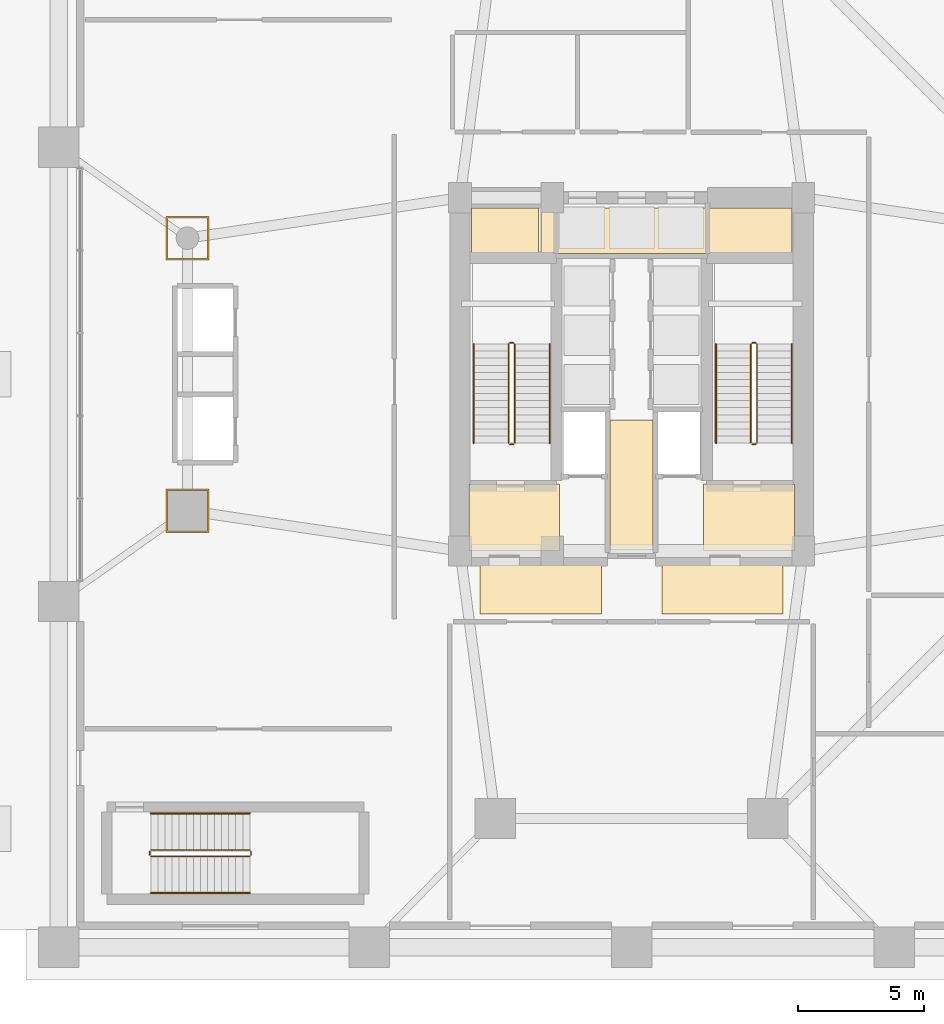
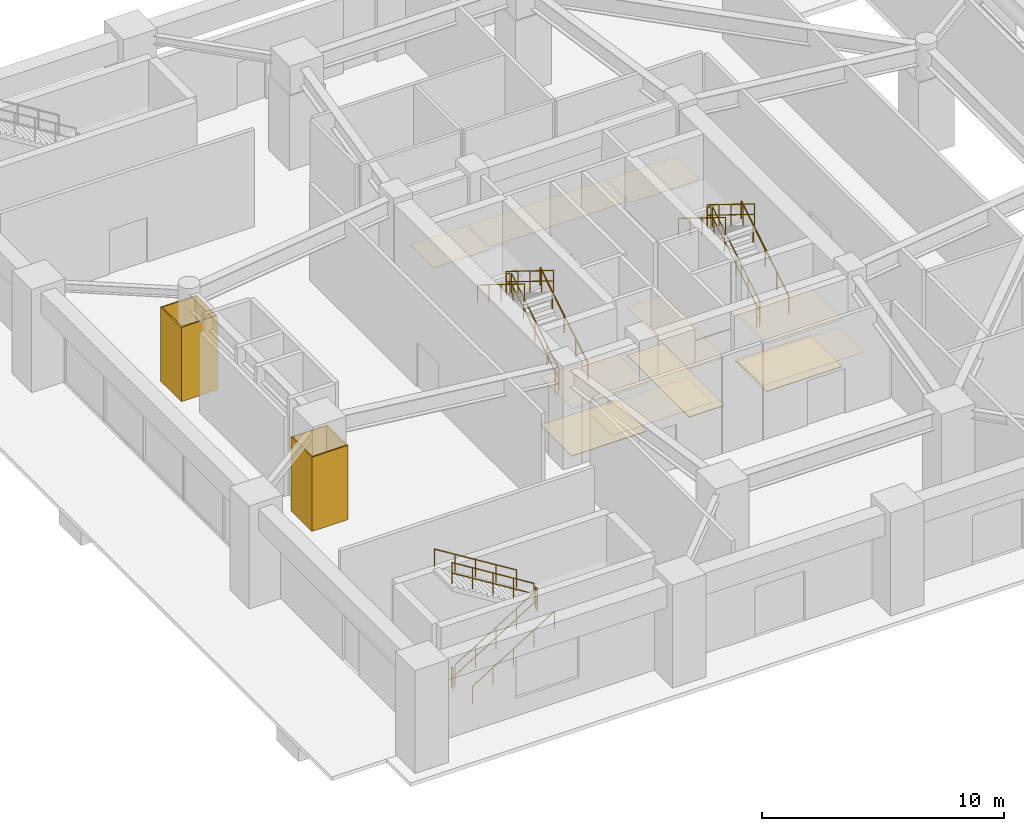
# One storey, part 23 of 27: 18 railings, 13 coverings.
"""IFC4 building model written with IfcOpenShell, lengths in metres."""

from ifc_helpers import new_model, si_unit, direction, frame, origin, origin_2d, place, context, subcontext, project, spatial, polyline, circle, outline, extrude, material, layer, layer_set, type_object, element, save


model = new_model("IFC4")

# Units and contexts
model_context = context("Model", 3, precision=1e-05, world=origin(), true_north=direction((0.0, 1.0)))
body_context = subcontext(model_context, "Body", "Model", "MODEL_VIEW")
ifc_project = project(units=[si_unit("LENGTHUNIT", "METRE"), si_unit("AREAUNIT", "SQUARE_METRE"), si_unit("VOLUMEUNIT", "CUBIC_METRE"), si_unit("PLANEANGLEUNIT", "RADIAN"), si_unit("MASSUNIT", "GRAM", prefix="KILO")], contexts=[model_context])

# Site, building, storey
site_placement = place(None, origin())
site = spatial("IfcSite", under=ifc_project, at=site_placement, CompositionType="ELEMENT")
building_placement = place(site_placement, origin())
building = spatial("IfcBuilding", under=site, at=building_placement, Name="Veraguas Prism Commons", CompositionType="ELEMENT")
storey_placement = place(building_placement, origin())
storey = spatial("IfcBuildingStorey", under=building, at=storey_placement, Name="L00", CompositionType="ELEMENT", Elevation=0.0)

# Coverings
ifc_material_1 = material(Name="Anodised aluminium EN AW-6063 T6", Category="aluminium")
ifc_layer_1 = layer(ifc_material_1, 0.014892578125, Name="Pale-Metal Column Cladding Casing 15", Category="aluminium")
ifc_layer_set_1 = layer_set([ifc_layer_1], Name="Anodised aluminium EN AW-6063 T6")
covering_type_1 = type_object("IfcCoveringType", Name="Pale-Metal Column Cladding Casing 15", PredefinedType="CLADDING", material=ifc_layer_set_1)
covering_1_placement = place(storey_placement, origin())
element("IfcCovering", 1, at=covering_1_placement, inside=storey, type_object=covering_type_1, Name="Concourse Column Pale-Metal Cladding 05", PredefinedType="CLADDING", context=body_context, shape_type="SweptSolid", body=[
    extrude(outline(polyline([(5.5400390625, 28.5400390625), (7.260009765625, 28.5400390625), (7.260009765625, 30.260009765625), (5.5400390625, 30.260009765625), (5.5400390625, 28.5400390625)]), holes=[polyline([(5.60009765625, 28.60009765625), (7.199951171875, 28.60009765625), (7.199951171875, 30.199951171875), (5.60009765625, 30.199951171875), (5.60009765625, 28.60009765625)])]), origin(), (0.0, 0.0, 1.0), 3.75),
])
covering_2_placement = place(storey_placement, origin())
element("IfcCovering", 2, at=covering_2_placement, inside=storey, type_object=covering_type_1, Name="Concourse Column Pale-Metal Cladding 06", PredefinedType="CLADDING", context=body_context, shape_type="SweptSolid", body=[
    extrude(outline(polyline([(5.5400390625, 17.739990234375), (7.260009765625, 17.739990234375), (7.260009765625, 19.4599609375), (5.5400390625, 19.4599609375), (5.5400390625, 17.739990234375)]), holes=[polyline([(5.60009765625, 17.800048828125), (7.199951171875, 17.800048828125), (7.199951171875, 19.39990234375), (5.60009765625, 19.39990234375), (5.60009765625, 17.800048828125)])]), origin(), (0.0, 0.0, 1.0), 3.75),
])
ifc_material_2 = material(Name="Acoustic gypsum board")
ifc_layer_2 = layer(ifc_material_2, 0.02490234375, Name="Perforated Acoustic Ceiling Tile 25")
ifc_layer_set_2 = layer_set([ifc_layer_2], Name="Acoustic gypsum board")
covering_type_2 = type_object("IfcCoveringType", Name="Perforated Acoustic Ceiling Tile 25", PredefinedType="USERDEFINED", material=ifc_layer_set_2)
covering_3_placement = place(storey_placement, frame((0.0, 0.0, 2.425048828125)))
element("IfcCovering", 3, at=covering_3_placement, inside=storey, type_object=covering_type_2, Name="East Lobby Acoustic Ceiling L00", ObjectType="ACOUSTIC CEILING", PredefinedType="USERDEFINED", context=body_context, shape_type="SweptSolid", body=[
    extrude(outline(polyline([(26.85009765625, 17.0), (30.449951171875, 17.0), (30.449951171875, 19.64990234375), (26.85009765625, 19.64990234375), (26.85009765625, 17.0)])), origin(), (0.0, 0.0, 1.0), 0.02490234375),
])
ifc_material_3 = material(Name="Terrazzo stone finish", Category="masonry")
ifc_layer_3 = layer(ifc_material_3, 0.030029296875, Name="Polished Terrazzo Floor Finish 30", Category="masonry")
ifc_layer_set_3 = layer_set([ifc_layer_3], Name="Terrazzo stone finish")
covering_type_3 = type_object("IfcCoveringType", Name="Polished Terrazzo Floor Finish 30", PredefinedType="FLOORING", material=ifc_layer_set_3)
covering_4_placement = place(storey_placement, origin())
element("IfcCovering", 4, at=covering_4_placement, inside=storey, type_object=covering_type_3, Name="Terrazzo Lobby Flooring L00", PredefinedType="FLOORING", context=body_context, shape_type="SweptSolid", body=[
    extrude(outline(polyline([(23.14990234375, 17.050048828125), (24.85009765625, 17.050048828125), (24.85009765625, 22.199951171875), (23.14990234375, 22.199951171875), (23.14990234375, 17.050048828125)])), origin(), (0.0, 0.0, 1.0), 0.030029296875),
])
covering_5_placement = place(storey_placement, origin())
element("IfcCovering", 5, at=covering_5_placement, inside=storey, type_object=covering_type_3, Name="West FF Lobby Terrazzo Flooring L00", PredefinedType="FLOORING", context=body_context, shape_type="SweptSolid", body=[
    extrude(outline(polyline([(17.550048828125, 17.050048828125), (21.14990234375, 17.050048828125), (21.14990234375, 19.64990234375), (17.550048828125, 19.64990234375), (17.550048828125, 17.050048828125)])), origin(), (0.0, 0.0, 1.0), 0.030029296875),
])
covering_6_placement = place(storey_placement, origin())
element("IfcCovering", 6, at=covering_6_placement, inside=storey, type_object=covering_type_3, Name="East FF Lobby Terrazzo Flooring L00", PredefinedType="FLOORING", context=body_context, shape_type="SweptSolid", body=[
    extrude(outline(polyline([(26.85009765625, 17.050048828125), (30.449951171875, 17.050048828125), (30.449951171875, 19.64990234375), (26.85009765625, 19.64990234375), (26.85009765625, 17.050048828125)])), origin(), (0.0, 0.0, 1.0), 0.030029296875),
])

# Railings
ifc_material_4 = material(Name="Stainless steel AISI 316", Category="steel")
railing_type_1 = type_object("IfcRailingType", Name="Stair and Ramp Stainless Handrail 900", PredefinedType="HANDRAIL", material=ifc_material_4)
railing_1_placement = place(storey_placement, frame((20.75, 21.280029296875, 0.17333984375)))
element("IfcRailing", 7, at=railing_1_placement, inside=storey, type_object=railing_type_1, Name="Stair Handrail ST-01 L00-1", PredefinedType="HANDRAIL", context=body_context, shape_type="SweptSolid", body=[
    extrude(circle(Radius=0.02392578125, at=origin_2d()), frame((0.0, 0.0, 0.8759765625), z_axis=(0.0, 0.850251603719, 0.526376491091), x_axis=(-1.0, 0.0, 0.0)), (0.0, 0.0, 1.0), 4.6103515625),
    extrude(circle(Radius=0.02099609375, at=origin_2d()), origin(), (0.0, 0.0, 1.0), 0.851806640625),
    extrude(circle(Radius=0.02099609375, at=origin_2d()), frame((0.0, 0.97998046875, 0.606689453125)), (0.0, 0.0, 1.0), 0.851806640625),
    extrude(circle(Radius=0.02099609375, at=origin_2d()), frame((0.0, 1.9599609375, 1.21337890625)), (0.0, 0.0, 1.0), 0.851806640625),
    extrude(circle(Radius=0.02099609375, at=origin_2d()), frame((0.0, 2.93994140625, 1.820068359375)), (0.0, 0.0, 1.0), 0.851806640625),
    extrude(circle(Radius=0.02099609375, at=origin_2d()), frame((0.0, 3.919921875, 2.4267578125)), (0.0, 0.0, 1.0), 0.851806640625),
])
railing_2_placement = place(storey_placement, frame((17.739990234375, 25.199951171875, 2.7734375)))
element("IfcRailing", 8, at=railing_2_placement, inside=storey, type_object=railing_type_1, Name="Stair Handrail ST-01 L00-2", PredefinedType="HANDRAIL", context=body_context, shape_type="SweptSolid", body=[
    extrude(circle(Radius=0.02392578125, at=origin_2d()), frame((0.0, 0.0, 0.8759765625), z_axis=(0.0, -0.850275303828, 0.526338206574), x_axis=(1.0, 0.0, 0.0)), (0.0, 0.0, 1.0), 4.610107421875),
    extrude(circle(Radius=0.02099609375, at=origin_2d()), origin(), (0.0, 0.0, 1.0), 0.851806640625),
    extrude(circle(Radius=0.02099609375, at=origin_2d()), frame((0.0, -0.97998046875, 0.606689453125)), (0.0, 0.0, 1.0), 0.851806640625),
    extrude(circle(Radius=0.02099609375, at=origin_2d()), frame((0.0, -1.9599609375, 1.21337890625)), (0.0, 0.0, 1.0), 0.851806640625),
    extrude(circle(Radius=0.02099609375, at=origin_2d()), frame((0.0, -2.93994140625, 1.81982421875)), (0.0, 0.0, 1.0), 0.851806640625),
    extrude(circle(Radius=0.02099609375, at=origin_2d()), frame((0.0, -3.919921875, 2.426513671875)), (0.0, 0.0, 1.0), 0.851806640625),
])
railing_3_placement = place(storey_placement, frame((30.35009765625, 21.280029296875, 0.17333984375)))
element("IfcRailing", 9, at=railing_3_placement, inside=storey, type_object=railing_type_1, Name="Stair Handrail ST-02 L00-1", PredefinedType="HANDRAIL", context=body_context, shape_type="SweptSolid", body=[
    extrude(circle(Radius=0.02392578125, at=origin_2d()), frame((0.0, 0.0, 0.8759765625), z_axis=(0.0, 0.850251603719, 0.526376491091), x_axis=(-1.0, 0.0, 0.0)), (0.0, 0.0, 1.0), 4.6103515625),
    extrude(circle(Radius=0.02099609375, at=origin_2d()), origin(), (0.0, 0.0, 1.0), 0.851806640625),
    extrude(circle(Radius=0.02099609375, at=origin_2d()), frame((0.0, 0.97998046875, 0.606689453125)), (0.0, 0.0, 1.0), 0.851806640625),
    extrude(circle(Radius=0.02099609375, at=origin_2d()), frame((0.0, 1.9599609375, 1.21337890625)), (0.0, 0.0, 1.0), 0.851806640625),
    extrude(circle(Radius=0.02099609375, at=origin_2d()), frame((0.0, 2.93994140625, 1.820068359375)), (0.0, 0.0, 1.0), 0.851806640625),
    extrude(circle(Radius=0.02099609375, at=origin_2d()), frame((0.0, 3.919921875, 2.4267578125)), (0.0, 0.0, 1.0), 0.851806640625),
])
railing_4_placement = place(storey_placement, frame((27.340087890625, 25.199951171875, 2.7734375)))
element("IfcRailing", 10, at=railing_4_placement, inside=storey, type_object=railing_type_1, Name="Stair Handrail ST-02 L00-2", PredefinedType="HANDRAIL", context=body_context, shape_type="SweptSolid", body=[
    extrude(circle(Radius=0.02392578125, at=origin_2d()), frame((0.0, 0.0, 0.8759765625), z_axis=(0.0, -0.850275303828, 0.526338206574), x_axis=(1.0, 0.0, 0.0)), (0.0, 0.0, 1.0), 4.610107421875),
    extrude(circle(Radius=0.02099609375, at=origin_2d()), origin(), (0.0, 0.0, 1.0), 0.851806640625),
    extrude(circle(Radius=0.02099609375, at=origin_2d()), frame((0.0, -0.97998046875, 0.606689453125)), (0.0, 0.0, 1.0), 0.851806640625),
    extrude(circle(Radius=0.02099609375, at=origin_2d()), frame((0.0, -1.9599609375, 1.21337890625)), (0.0, 0.0, 1.0), 0.851806640625),
    extrude(circle(Radius=0.02099609375, at=origin_2d()), frame((0.0, -2.93994140625, 1.81982421875)), (0.0, 0.0, 1.0), 0.851806640625),
    extrude(circle(Radius=0.02099609375, at=origin_2d()), frame((0.0, -3.919921875, 2.426513671875)), (0.0, 0.0, 1.0), 0.851806640625),
])
railing_5_placement = place(storey_placement, frame((4.949951171875, 3.449951171875, 0.17333984375)))
element("IfcRailing", 11, at=railing_5_placement, inside=storey, type_object=railing_type_1, Name="Stair Handrail ST-M1 L00-1", PredefinedType="HANDRAIL", context=body_context, shape_type="SweptSolid", body=[
    extrude(circle(Radius=0.02392578125, at=origin_2d()), frame((0.0, 0.0, 0.8759765625), z_axis=(0.850266275192, 0.0, 0.526352791643), x_axis=(0.0, 1.0, 0.0)), (0.0, 0.0, 1.0), 4.610595703125),
    extrude(circle(Radius=0.02099609375, at=origin_2d()), origin(), (0.0, 0.0, 1.0), 0.851806640625),
    extrude(circle(Radius=0.02099609375, at=origin_2d()), frame((0.97998046875, 0.0, 0.606689453125)), (0.0, 0.0, 1.0), 0.851806640625),
    extrude(circle(Radius=0.02099609375, at=origin_2d()), frame((1.9599609375, 0.0, 1.21337890625)), (0.0, 0.0, 1.0), 0.851806640625),
    extrude(circle(Radius=0.02099609375, at=origin_2d()), frame((2.940185546875, 0.0, 1.820068359375)), (0.0, 0.0, 1.0), 0.851806640625),
    extrude(circle(Radius=0.02099609375, at=origin_2d()), frame((3.920166015625, 0.0, 2.4267578125)), (0.0, 0.0, 1.0), 0.851806640625),
])
railing_6_placement = place(storey_placement, frame((8.8701171875, 6.60009765625, 2.7734375)))
element("IfcRailing", 12, at=railing_6_placement, inside=storey, type_object=railing_type_1, Name="Stair Handrail ST-M1 L00-2", PredefinedType="HANDRAIL", context=body_context, shape_type="SweptSolid", body=[
    extrude(circle(Radius=0.02392578125, at=origin_2d()), frame((0.0, 0.0, 0.8759765625), z_axis=(-0.850289973577, 0.0, 0.526314507528), x_axis=(0.0, -1.0, 0.0)), (0.0, 0.0, 1.0), 4.6103515625),
    extrude(circle(Radius=0.02099609375, at=origin_2d()), origin(), (0.0, 0.0, 1.0), 0.851806640625),
    extrude(circle(Radius=0.02099609375, at=origin_2d()), frame((-0.97998046875, 0.0, 0.606689453125)), (0.0, 0.0, 1.0), 0.851806640625),
    extrude(circle(Radius=0.02099609375, at=origin_2d()), frame((-1.9599609375, 0.0, 1.21337890625)), (0.0, 0.0, 1.0), 0.851806640625),
    extrude(circle(Radius=0.02099609375, at=origin_2d()), frame((-2.940185546875, 0.0, 1.81982421875)), (0.0, 0.0, 1.0), 0.851806640625),
    extrude(circle(Radius=0.02099609375, at=origin_2d()), frame((-3.920166015625, 0.0, 2.426513671875)), (0.0, 0.0, 1.0), 0.851806640625),
])
railing_type_2 = type_object("IfcRailingType", Name="Stairwell Safety Guardrail 1100", PredefinedType="GUARDRAIL", material=ifc_material_4)
railing_7_placement = place(storey_placement, frame((19.3701171875, 21.280029296875, 0.17333984375)))
element("IfcRailing", 13, at=railing_7_placement, inside=storey, type_object=railing_type_2, Name="Stair Guard ST-01 L00-1", PredefinedType="GUARDRAIL", context=body_context, shape_type="SweptSolid", body=[
    extrude(circle(Radius=0.02392578125, at=origin_2d()), frame((0.0, 0.0, 1.076171875), z_axis=(0.0, 0.850251603719, 0.526376491091), x_axis=(-1.0, 0.0, 0.0)), (0.0, 0.0, 1.0), 4.6103515625),
    extrude(circle(Radius=0.02392578125, at=origin_2d()), frame((0.0, 0.0, 0.550048828125), z_axis=(0.0, 0.850251603719, 0.526376491091), x_axis=(-1.0, 0.0, 0.0)), (0.0, 0.0, 1.0), 4.6103515625),
    extrude(circle(Radius=0.02099609375, at=origin_2d()), origin(), (0.0, 0.0, 1.0), 1.052001953125),
    extrude(circle(Radius=0.02099609375, at=origin_2d()), frame((0.0, 0.97998046875, 0.606689453125)), (0.0, 0.0, 1.0), 1.052001953125),
    extrude(circle(Radius=0.02099609375, at=origin_2d()), frame((0.0, 1.9599609375, 1.21337890625)), (0.0, 0.0, 1.0), 1.052001953125),
    extrude(circle(Radius=0.02099609375, at=origin_2d()), frame((0.0, 2.93994140625, 1.820068359375)), (0.0, 0.0, 1.0), 1.052001953125),
    extrude(circle(Radius=0.02099609375, at=origin_2d()), frame((0.0, 3.919921875, 2.4267578125)), (0.0, 0.0, 1.0), 1.052001953125),
])
railing_8_placement = place(storey_placement, frame((19.320068359375, 25.25, 2.60009765625)))
element("IfcRailing", 14, at=railing_8_placement, inside=storey, type_object=railing_type_2, Name="Stair Guard ST-01 L00-2", PredefinedType="GUARDRAIL", context=body_context, shape_type="SweptSolid", body=[
    extrude(circle(Radius=0.02392578125, at=origin_2d()), frame((0.0, 0.0, 1.076171875), z_axis=(-1.0, 0.0, 0.0), x_axis=(0.0, -1.0, 0.0)), (0.0, 0.0, 1.0), 0.150146484375),
    extrude(circle(Radius=0.02392578125, at=origin_2d()), frame((0.0, 0.0, 0.550048828125), z_axis=(-1.0, 0.0, 0.0), x_axis=(0.0, -1.0, 0.0)), (0.0, 0.0, 1.0), 0.150146484375),
    extrude(circle(Radius=0.02099609375, at=origin_2d()), origin(), (0.0, 0.0, 1.0), 1.052001953125),
    extrude(circle(Radius=0.02099609375, at=origin_2d()), frame((-0.150146484375, 0.0, 0.0)), (0.0, 0.0, 1.0), 1.052001953125),
])
railing_9_placement = place(storey_placement, frame((19.1201171875, 25.199951171875, 2.7734375)))
element("IfcRailing", 15, at=railing_9_placement, inside=storey, type_object=railing_type_2, Name="Stair Guard ST-01 L00-3", PredefinedType="GUARDRAIL", context=body_context, shape_type="SweptSolid", body=[
    extrude(circle(Radius=0.02392578125, at=origin_2d()), frame((0.0, 0.0, 1.076171875), z_axis=(0.0, -0.850275303828, 0.526338206574), x_axis=(1.0, 0.0, 0.0)), (0.0, 0.0, 1.0), 4.610107421875),
    extrude(circle(Radius=0.02392578125, at=origin_2d()), frame((0.0, 0.0, 0.550048828125), z_axis=(0.0, -0.850275303828, 0.526338206574), x_axis=(1.0, 0.0, 0.0)), (0.0, 0.0, 1.0), 4.610107421875),
    extrude(circle(Radius=0.02099609375, at=origin_2d()), origin(), (0.0, 0.0, 1.0), 1.052001953125),
    extrude(circle(Radius=0.02099609375, at=origin_2d()), frame((0.0, -0.97998046875, 0.606689453125)), (0.0, 0.0, 1.0), 1.052001953125),
    extrude(circle(Radius=0.02099609375, at=origin_2d()), frame((0.0, -1.9599609375, 1.21337890625)), (0.0, 0.0, 1.0), 1.052001953125),
    extrude(circle(Radius=0.02099609375, at=origin_2d()), frame((0.0, -2.93994140625, 1.81982421875)), (0.0, 0.0, 1.0), 1.052001953125),
    extrude(circle(Radius=0.02099609375, at=origin_2d()), frame((0.0, -3.919921875, 2.426513671875)), (0.0, 0.0, 1.0), 1.052001953125),
])
railing_10_placement = place(storey_placement, frame((19.320068359375, 21.22998046875, 0.0)))
element("IfcRailing", 16, at=railing_10_placement, inside=storey, type_object=railing_type_2, Name="Stair Guard ST-01 L00-4", PredefinedType="GUARDRAIL", context=body_context, shape_type="SweptSolid", body=[
    extrude(circle(Radius=0.02392578125, at=origin_2d()), frame((0.0, 0.0, 1.076171875), z_axis=(-1.0, 0.0, 0.0), x_axis=(0.0, -1.0, 0.0)), (0.0, 0.0, 1.0), 0.150146484375),
    extrude(circle(Radius=0.02392578125, at=origin_2d()), frame((0.0, 0.0, 0.550048828125), z_axis=(-1.0, 0.0, 0.0), x_axis=(0.0, -1.0, 0.0)), (0.0, 0.0, 1.0), 0.150146484375),
    extrude(circle(Radius=0.02099609375, at=origin_2d()), origin(), (0.0, 0.0, 1.0), 1.052001953125),
    extrude(circle(Radius=0.02099609375, at=origin_2d()), frame((-0.150146484375, 0.0, 0.0)), (0.0, 0.0, 1.0), 1.052001953125),
])
railing_11_placement = place(storey_placement, frame((28.969970703125, 21.280029296875, 0.17333984375)))
element("IfcRailing", 17, at=railing_11_placement, inside=storey, type_object=railing_type_2, Name="Stair Guard ST-02 L00-1", PredefinedType="GUARDRAIL", context=body_context, shape_type="SweptSolid", body=[
    extrude(circle(Radius=0.02392578125, at=origin_2d()), frame((0.0, 0.0, 1.076171875), z_axis=(0.0, 0.850251603719, 0.526376491091), x_axis=(-1.0, 0.0, 0.0)), (0.0, 0.0, 1.0), 4.6103515625),
    extrude(circle(Radius=0.02392578125, at=origin_2d()), frame((0.0, 0.0, 0.550048828125), z_axis=(0.0, 0.850251603719, 0.526376491091), x_axis=(-1.0, 0.0, 0.0)), (0.0, 0.0, 1.0), 4.6103515625),
    extrude(circle(Radius=0.02099609375, at=origin_2d()), origin(), (0.0, 0.0, 1.0), 1.052001953125),
    extrude(circle(Radius=0.02099609375, at=origin_2d()), frame((0.0, 0.97998046875, 0.606689453125)), (0.0, 0.0, 1.0), 1.052001953125),
    extrude(circle(Radius=0.02099609375, at=origin_2d()), frame((0.0, 1.9599609375, 1.21337890625)), (0.0, 0.0, 1.0), 1.052001953125),
    extrude(circle(Radius=0.02099609375, at=origin_2d()), frame((0.0, 2.93994140625, 1.820068359375)), (0.0, 0.0, 1.0), 1.052001953125),
    extrude(circle(Radius=0.02099609375, at=origin_2d()), frame((0.0, 3.919921875, 2.4267578125)), (0.0, 0.0, 1.0), 1.052001953125),
])
railing_12_placement = place(storey_placement, frame((28.919921875, 25.25, 2.60009765625)))
element("IfcRailing", 18, at=railing_12_placement, inside=storey, type_object=railing_type_2, Name="Stair Guard ST-02 L00-2", PredefinedType="GUARDRAIL", context=body_context, shape_type="SweptSolid", body=[
    extrude(circle(Radius=0.02392578125, at=origin_2d()), frame((0.0, 0.0, 1.076171875), z_axis=(-1.0, 0.0, 0.0), x_axis=(0.0, -1.0, 0.0)), (0.0, 0.0, 1.0), 0.14990234375),
    extrude(circle(Radius=0.02392578125, at=origin_2d()), frame((0.0, 0.0, 0.550048828125), z_axis=(-1.0, 0.0, 0.0), x_axis=(0.0, -1.0, 0.0)), (0.0, 0.0, 1.0), 0.14990234375),
    extrude(circle(Radius=0.02099609375, at=origin_2d()), origin(), (0.0, 0.0, 1.0), 1.052001953125),
    extrude(circle(Radius=0.02099609375, at=origin_2d()), frame((-0.14990234375, 0.0, 0.0)), (0.0, 0.0, 1.0), 1.052001953125),
])
railing_13_placement = place(storey_placement, frame((28.719970703125, 25.199951171875, 2.7734375)))
element("IfcRailing", 19, at=railing_13_placement, inside=storey, type_object=railing_type_2, Name="Stair Guard ST-02 L00-3", PredefinedType="GUARDRAIL", context=body_context, shape_type="SweptSolid", body=[
    extrude(circle(Radius=0.02392578125, at=origin_2d()), frame((0.0, 0.0, 1.076171875), z_axis=(0.0, -0.850275303828, 0.526338206574), x_axis=(1.0, 0.0, 0.0)), (0.0, 0.0, 1.0), 4.610107421875),
    extrude(circle(Radius=0.02392578125, at=origin_2d()), frame((0.0, 0.0, 0.550048828125), z_axis=(0.0, -0.850275303828, 0.526338206574), x_axis=(1.0, 0.0, 0.0)), (0.0, 0.0, 1.0), 4.610107421875),
    extrude(circle(Radius=0.02099609375, at=origin_2d()), origin(), (0.0, 0.0, 1.0), 1.052001953125),
    extrude(circle(Radius=0.02099609375, at=origin_2d()), frame((0.0, -0.97998046875, 0.606689453125)), (0.0, 0.0, 1.0), 1.052001953125),
    extrude(circle(Radius=0.02099609375, at=origin_2d()), frame((0.0, -1.9599609375, 1.21337890625)), (0.0, 0.0, 1.0), 1.052001953125),
    extrude(circle(Radius=0.02099609375, at=origin_2d()), frame((0.0, -2.93994140625, 1.81982421875)), (0.0, 0.0, 1.0), 1.052001953125),
    extrude(circle(Radius=0.02099609375, at=origin_2d()), frame((0.0, -3.919921875, 2.426513671875)), (0.0, 0.0, 1.0), 1.052001953125),
])
railing_14_placement = place(storey_placement, frame((28.919921875, 21.22998046875, 0.0)))
element("IfcRailing", 20, at=railing_14_placement, inside=storey, type_object=railing_type_2, Name="Stair Guard ST-02 L00-4", PredefinedType="GUARDRAIL", context=body_context, shape_type="SweptSolid", body=[
    extrude(circle(Radius=0.02392578125, at=origin_2d()), frame((0.0, 0.0, 1.076171875), z_axis=(-1.0, 0.0, 0.0), x_axis=(0.0, -1.0, 0.0)), (0.0, 0.0, 1.0), 0.14990234375),
    extrude(circle(Radius=0.02392578125, at=origin_2d()), frame((0.0, 0.0, 0.550048828125), z_axis=(-1.0, 0.0, 0.0), x_axis=(0.0, -1.0, 0.0)), (0.0, 0.0, 1.0), 0.14990234375),
    extrude(circle(Radius=0.02099609375, at=origin_2d()), origin(), (0.0, 0.0, 1.0), 1.052001953125),
    extrude(circle(Radius=0.02099609375, at=origin_2d()), frame((-0.14990234375, 0.0, 0.0)), (0.0, 0.0, 1.0), 1.052001953125),
])
railing_15_placement = place(storey_placement, frame((4.949951171875, 4.89990234375, 0.17333984375)))
element("IfcRailing", 21, at=railing_15_placement, inside=storey, type_object=railing_type_2, Name="Stair Guard ST-M1 L00-1", PredefinedType="GUARDRAIL", context=body_context, shape_type="SweptSolid", body=[
    extrude(circle(Radius=0.02392578125, at=origin_2d()), frame((0.0, 0.0, 1.076171875), z_axis=(0.850266275192, 0.0, 0.526352791643), x_axis=(0.0, 1.0, 0.0)), (0.0, 0.0, 1.0), 4.610595703125),
    extrude(circle(Radius=0.02392578125, at=origin_2d()), frame((0.0, 0.0, 0.550048828125), z_axis=(0.850266275192, 0.0, 0.526352791643), x_axis=(0.0, 1.0, 0.0)), (0.0, 0.0, 1.0), 4.610595703125),
    extrude(circle(Radius=0.02099609375, at=origin_2d()), origin(), (0.0, 0.0, 1.0), 1.052001953125),
    extrude(circle(Radius=0.02099609375, at=origin_2d()), frame((0.97998046875, 0.0, 0.606689453125)), (0.0, 0.0, 1.0), 1.052001953125),
    extrude(circle(Radius=0.02099609375, at=origin_2d()), frame((1.9599609375, 0.0, 1.21337890625)), (0.0, 0.0, 1.0), 1.052001953125),
    extrude(circle(Radius=0.02099609375, at=origin_2d()), frame((2.940185546875, 0.0, 1.820068359375)), (0.0, 0.0, 1.0), 1.052001953125),
    extrude(circle(Radius=0.02099609375, at=origin_2d()), frame((3.920166015625, 0.0, 2.4267578125)), (0.0, 0.0, 1.0), 1.052001953125),
])
railing_16_placement = place(storey_placement, frame((8.919921875, 4.949951171875, 2.60009765625)))
element("IfcRailing", 22, at=railing_16_placement, inside=storey, type_object=railing_type_2, Name="Stair Guard ST-M1 L00-2", PredefinedType="GUARDRAIL", context=body_context, shape_type="SweptSolid", body=[
    extrude(circle(Radius=0.02392578125, at=origin_2d()), frame((0.0, 0.0, 1.076171875), z_axis=(0.0, 1.0, 0.0), x_axis=(-1.0, 0.0, 0.0)), (0.0, 0.0, 1.0), 0.150146484375),
    extrude(circle(Radius=0.02392578125, at=origin_2d()), frame((0.0, 0.0, 0.550048828125), z_axis=(0.0, 1.0, 0.0), x_axis=(-1.0, 0.0, 0.0)), (0.0, 0.0, 1.0), 0.150146484375),
    extrude(circle(Radius=0.02099609375, at=origin_2d()), origin(), (0.0, 0.0, 1.0), 1.052001953125),
    extrude(circle(Radius=0.02099609375, at=origin_2d()), frame((0.0, 0.150146484375, 0.0)), (0.0, 0.0, 1.0), 1.052001953125),
])
railing_17_placement = place(storey_placement, frame((8.8701171875, 5.14990234375, 2.7734375)))
element("IfcRailing", 23, at=railing_17_placement, inside=storey, type_object=railing_type_2, Name="Stair Guard ST-M1 L00-3", PredefinedType="GUARDRAIL", context=body_context, shape_type="SweptSolid", body=[
    extrude(circle(Radius=0.02392578125, at=origin_2d()), frame((0.0, 0.0, 1.076171875), z_axis=(-0.850289973577, 0.0, 0.526314507528), x_axis=(0.0, -1.0, 0.0)), (0.0, 0.0, 1.0), 4.6103515625),
    extrude(circle(Radius=0.02392578125, at=origin_2d()), frame((0.0, 0.0, 0.550048828125), z_axis=(-0.850289973577, 0.0, 0.526314507528), x_axis=(0.0, -1.0, 0.0)), (0.0, 0.0, 1.0), 4.6103515625),
    extrude(circle(Radius=0.02099609375, at=origin_2d()), origin(), (0.0, 0.0, 1.0), 1.052001953125),
    extrude(circle(Radius=0.02099609375, at=origin_2d()), frame((-0.97998046875, 0.0, 0.606689453125)), (0.0, 0.0, 1.0), 1.052001953125),
    extrude(circle(Radius=0.02099609375, at=origin_2d()), frame((-1.9599609375, 0.0, 1.21337890625)), (0.0, 0.0, 1.0), 1.052001953125),
    extrude(circle(Radius=0.02099609375, at=origin_2d()), frame((-2.940185546875, 0.0, 1.81982421875)), (0.0, 0.0, 1.0), 1.052001953125),
    extrude(circle(Radius=0.02099609375, at=origin_2d()), frame((-3.920166015625, 0.0, 2.426513671875)), (0.0, 0.0, 1.0), 1.052001953125),
])
railing_18_placement = place(storey_placement, frame((4.89990234375, 4.949951171875, 0.0)))
element("IfcRailing", 24, at=railing_18_placement, inside=storey, type_object=railing_type_2, Name="Stair Guard ST-M1 L00-4", PredefinedType="GUARDRAIL", context=body_context, shape_type="SweptSolid", body=[
    extrude(circle(Radius=0.02392578125, at=origin_2d()), frame((0.0, 0.0, 1.076171875), z_axis=(0.0, 1.0, 0.0), x_axis=(-1.0, 0.0, 0.0)), (0.0, 0.0, 1.0), 0.150146484375),
    extrude(circle(Radius=0.02392578125, at=origin_2d()), frame((0.0, 0.0, 0.550048828125), z_axis=(0.0, 1.0, 0.0), x_axis=(-1.0, 0.0, 0.0)), (0.0, 0.0, 1.0), 0.150146484375),
    extrude(circle(Radius=0.02099609375, at=origin_2d()), origin(), (0.0, 0.0, 1.0), 1.052001953125),
    extrude(circle(Radius=0.02099609375, at=origin_2d()), frame((0.0, 0.150146484375, 0.0)), (0.0, 0.0, 1.0), 1.052001953125),
])

# Coverings
ifc_layer_4 = layer(ifc_material_2, 0.02001953125, Name="Suspended Gypsum Ceiling 20")
ifc_layer_set_4 = layer_set([ifc_layer_4], Name="Acoustic gypsum board")
covering_type_4 = type_object("IfcCoveringType", Name="Suspended Gypsum Ceiling 20", PredefinedType="CEILING", material=ifc_layer_set_4)
covering_7_placement = place(storey_placement, frame((0.0, 0.0, 2.429931640625)))
element("IfcCovering", 25, at=covering_7_placement, inside=storey, type_object=covering_type_4, Name="West Lobby Suspended Gypsum Ceiling L00", PredefinedType="CEILING", context=body_context, shape_type="SweptSolid", body=[
    extrude(outline(polyline([(17.550048828125, 17.0), (21.14990234375, 17.0), (21.14990234375, 19.64990234375), (17.550048828125, 19.64990234375), (17.550048828125, 17.0)])), origin(), (0.0, 0.0, 1.0), 0.02001953125),
])
covering_8_placement = place(storey_placement, frame((0.0, 0.0, 2.429931640625)))
element("IfcCovering", 26, at=covering_8_placement, inside=storey, type_object=covering_type_4, Name="Core Lobby Acoustic Ceiling L00-1", PredefinedType="CEILING", context=body_context, shape_type="SweptSolid", body=[
    extrude(outline(polyline([(18.0, 14.5), (22.800048828125, 14.5), (22.800048828125, 16.550048828125), (18.0, 16.550048828125), (18.0, 14.5)])), origin(), (0.0, 0.0, 1.0), 0.02001953125),
])
covering_9_placement = place(storey_placement, frame((0.0, 0.0, 2.429931640625)))
element("IfcCovering", 27, at=covering_9_placement, inside=storey, type_object=covering_type_4, Name="Core Lobby Acoustic Ceiling L00-2", PredefinedType="CEILING", context=body_context, shape_type="SweptSolid", body=[
    extrude(outline(polyline([(25.199951171875, 14.5), (30.0, 14.5), (30.0, 16.550048828125), (25.199951171875, 16.550048828125), (25.199951171875, 14.5)])), origin(), (0.0, 0.0, 1.0), 0.02001953125),
])
covering_10_placement = place(storey_placement, frame((0.0, 0.0, 2.429931640625)))
element("IfcCovering", 28, at=covering_10_placement, inside=storey, type_object=covering_type_4, Name="Core Lobby Acoustic Ceiling L00-3", PredefinedType="CEILING", context=body_context, shape_type="SweptSolid", body=[
    extrude(outline(polyline([(23.14990234375, 17.050048828125), (24.85009765625, 17.050048828125), (24.85009765625, 22.199951171875), (23.14990234375, 22.199951171875), (23.14990234375, 17.050048828125)])), origin(), (0.0, 0.0, 1.0), 0.02001953125),
])
covering_11_placement = place(storey_placement, frame((0.0, 0.0, 2.429931640625)))
element("IfcCovering", 29, at=covering_11_placement, inside=storey, type_object=covering_type_4, Name="Core Lobby Acoustic Ceiling L00-4", PredefinedType="CEILING", context=body_context, shape_type="SweptSolid", body=[
    extrude(outline(polyline([(17.64990234375, 28.64990234375), (20.300048828125, 28.64990234375), (20.300048828125, 30.60009765625), (17.64990234375, 30.60009765625), (17.64990234375, 28.64990234375)])), origin(), (0.0, 0.0, 1.0), 0.02001953125),
])
covering_12_placement = place(storey_placement, frame((0.0, 0.0, 2.429931640625)))
element("IfcCovering", 30, at=covering_12_placement, inside=storey, type_object=covering_type_4, Name="Core Lobby Acoustic Ceiling L00-5", PredefinedType="CEILING", context=body_context, shape_type="SweptSolid", body=[
    extrude(outline(polyline([(27.050048828125, 28.64990234375), (30.35009765625, 28.64990234375), (30.35009765625, 30.60009765625), (27.050048828125, 30.60009765625), (27.050048828125, 28.64990234375)])), origin(), (0.0, 0.0, 1.0), 0.02001953125),
])
covering_13_placement = place(storey_placement, frame((0.0, 0.0, 2.429931640625)))
element("IfcCovering", 31, at=covering_13_placement, inside=storey, type_object=covering_type_4, Name="Core Lobby Acoustic Ceiling L00-6", PredefinedType="CEILING", context=body_context, shape_type="SweptSolid", body=[
    extrude(outline(polyline([(20.39990234375, 28.800048828125), (26.949951171875, 28.800048828125), (26.949951171875, 30.60009765625), (20.39990234375, 30.60009765625), (20.39990234375, 28.800048828125)])), origin(), (0.0, 0.0, 1.0), 0.02001953125),
])

save(model, "model.ifc")
